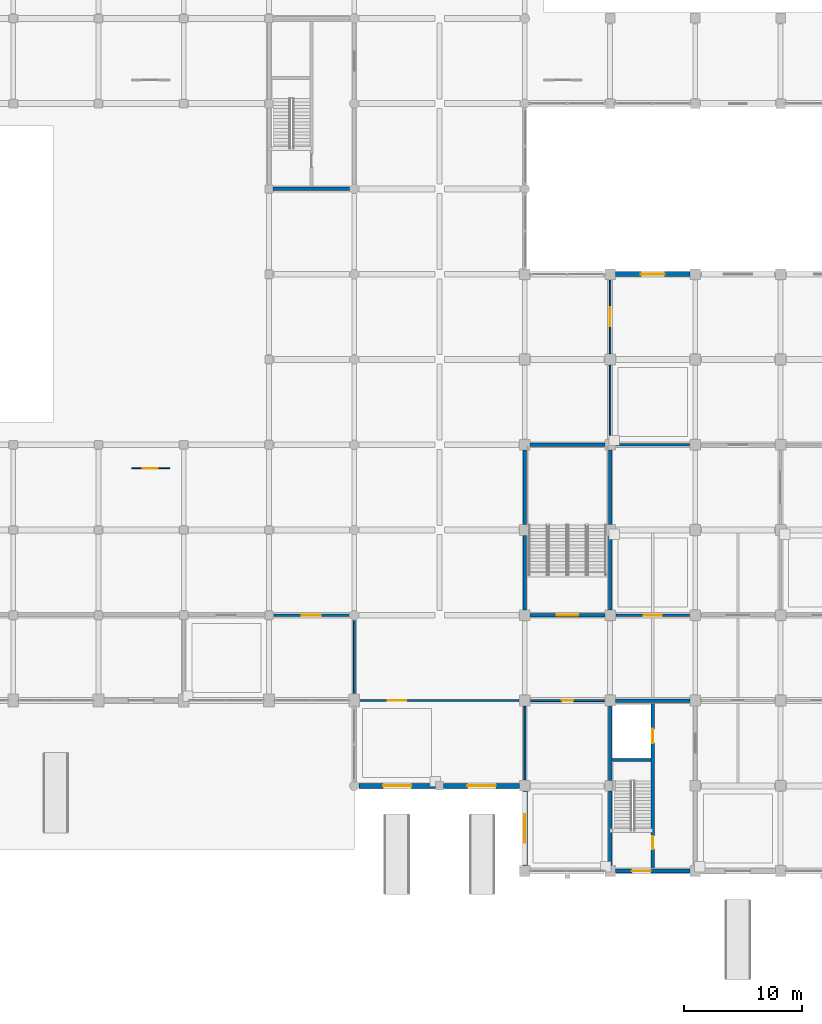
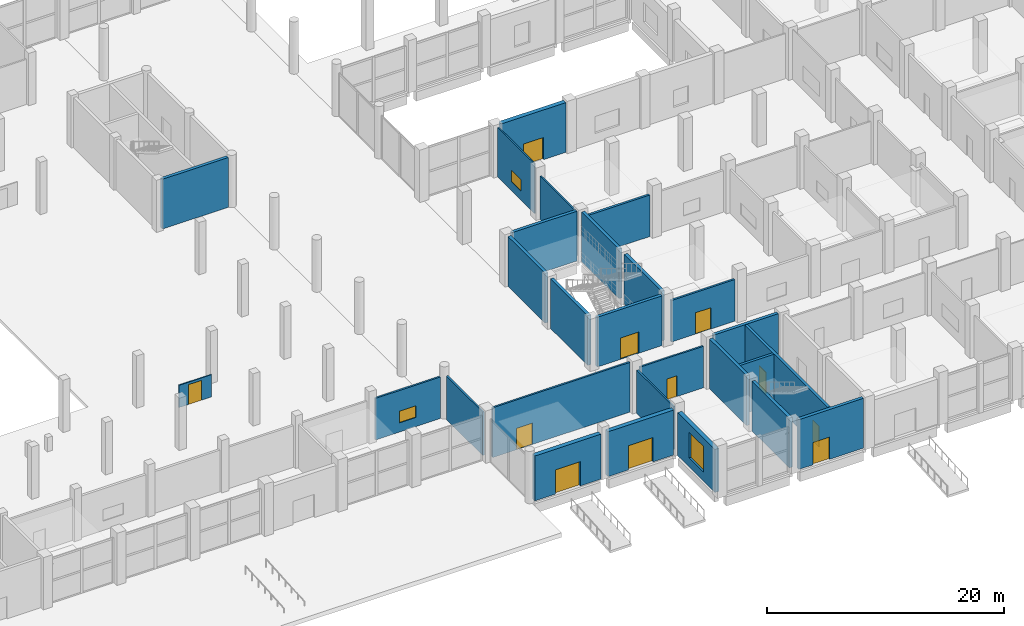
# One storey, part 46 of 70: 27 walls, 11 doors, 3 windows, 14 openings.
"""IFC4 building model written with IfcOpenShell, lengths in metres."""

from ifc_helpers import new_model, si_unit, direction, frame, frame_2d, origin, place, context, subcontext, project, spatial, rectangle, extrude, material, layer, layer_set, type_object, element, fill, save


model = new_model("IFC4")

# Units and contexts
model_context = context("Model", 3, precision=1e-05, world=origin(), true_north=direction((0.0, 1.0)))
body_context = subcontext(model_context, "Body", "Model", "MODEL_VIEW")
ifc_project = project(units=[si_unit("LENGTHUNIT", "METRE"), si_unit("AREAUNIT", "SQUARE_METRE"), si_unit("VOLUMEUNIT", "CUBIC_METRE"), si_unit("PLANEANGLEUNIT", "RADIAN"), si_unit("MASSUNIT", "GRAM", prefix="KILO")], contexts=[model_context])

# Site, building, storey
site_placement = place(None, origin())
site = spatial("IfcSite", under=ifc_project, at=site_placement, CompositionType="ELEMENT")
building_placement = place(site_placement, origin())
building = spatial("IfcBuilding", under=site, at=building_placement, Name="Vesperath Aquatics Centre", CompositionType="ELEMENT")
storey_placement = place(building_placement, origin())
storey = spatial("IfcBuildingStorey", under=building, at=storey_placement, Name="L00", CompositionType="ELEMENT", Elevation=0.0)

# Wall, opening, door
ifc_material_1 = material(Name="Liaoning grey granite ashlar insulated cavity wall", Category="masonry")
ifc_layer_1 = layer(ifc_material_1, 0.419921875)
ifc_layer_set_1 = layer_set([ifc_layer_1], Name="Liaoning grey granite ashlar insulated cavity wall")
wall_type_1 = type_object("IfcWallType", Name="WL-EW01", PredefinedType="SOLIDWALL", material=ifc_layer_set_1)
wall_1_placement = place(storey_placement, frame((101.199951171875, 7.199951171875, 0.0), z_axis=(0.0, 0.0, 1.0), x_axis=(1.0, 0.0, 0.0)))
wall_1 = element("IfcWall", 1, at=wall_1_placement, inside=storey, type_object=wall_type_1, Name="Exterior Wall EW01 L00_S_14_01", PredefinedType="SOLIDWALL", context=body_context, shape_type="SweptSolid", body=[
    extrude(rectangle(XDim=6.449951171875, YDim=0.419921875, at=frame_2d((3.22509765625, 0.0))), origin(), (0.0, 0.0, 1.0), 4.639892578125),
])
opening_1_placement = place(wall_1_placement, frame((2.02490234375, 0.0, 0.0)))
opening_1 = element("IfcOpeningElement", 2, at=opening_1_placement, cuts=wall_1, Name="Opening AL01", PredefinedType="OPENING", context=body_context, shape_type="SweptSolid", body=[
    extrude(rectangle(XDim=2.39990234375, YDim=2.5, at=frame_2d((1.199951171875, 1.25))), frame((0.0, 0.224853515625, 0.0), z_axis=(0.0, -1.0, 0.0), x_axis=(1.0, 0.0, 0.0)), (0.0, 0.0, 1.0), 0.44970703125),
])
ifc_material_2 = material(Name="Thermally broken bronze-anodised glazed aluminium door", Category="aluminium")
door_type_1 = type_object("IfcDoorType", Name="DR-AL01", OperationType="DOUBLE_SWING_LEFT", PredefinedType="DOOR", material=ifc_material_2)
door_1_placement = place(opening_1_placement, frame((2.39990234375, 0.0, 0.0), z_axis=(0.0, 0.0, 1.0), x_axis=(-1.0, 0.0, 0.0)))
door_1 = element("IfcDoor", 3, at=door_1_placement, inside=storey, type_object=door_type_1, Name="Final Exit Door AL01 L00_S_14_01", OperationType="DOUBLE_SWING_LEFT", OverallHeight=2.5, OverallWidth=2.39990234375, PredefinedType="DOOR", context=body_context, shape_type="SweptSolid", body=[
    extrude(rectangle(XDim=2.39990234375, YDim=2.5, at=frame_2d((1.199951171875, 1.25))), frame((0.0, 0.02490234375, 0.0), z_axis=(0.0, -1.0, 0.0), x_axis=(1.0, 0.0, 0.0)), (0.0, 0.0, 1.0), 0.050048828125),
])
fill(opening_1, door_1)

wall_2_placement = place(storey_placement, frame((108.35009765625, 7.199951171875, 0.0), z_axis=(0.0, 0.0, 1.0), x_axis=(1.0, 0.0, 0.0)))
wall_2 = element("IfcWall", 4, at=wall_2_placement, inside=storey, type_object=wall_type_1, Name="Exterior Wall EW01 L00_S_15_01", PredefinedType="SOLIDWALL", context=body_context, shape_type="SweptSolid", body=[
    extrude(rectangle(XDim=6.39990234375, YDim=0.419921875, at=frame_2d((3.199951171875, 0.0))), origin(), (0.0, 0.0, 1.0), 4.639892578125),
])
opening_2_placement = place(wall_2_placement, frame((2.0, 0.0, 0.0)))
opening_2 = element("IfcOpeningElement", 5, at=opening_2_placement, cuts=wall_2, Name="Opening AL01", PredefinedType="OPENING", context=body_context, shape_type="SweptSolid", body=[
    extrude(rectangle(XDim=2.39990234375, YDim=2.5, at=frame_2d((1.199951171875, 1.25))), frame((0.0, 0.224853515625, 0.0), z_axis=(0.0, -1.0, 0.0), x_axis=(1.0, 0.0, 0.0)), (0.0, 0.0, 1.0), 0.44970703125),
])
door_2_placement = place(opening_2_placement, frame((2.39990234375, 0.0, 0.0), z_axis=(0.0, 0.0, 1.0), x_axis=(-1.0, 0.0, 0.0)))
door_2 = element("IfcDoor", 6, at=door_2_placement, inside=storey, type_object=door_type_1, Name="Final Exit Door AL01 L00_S_15_01", OperationType="DOUBLE_SWING_LEFT", OverallHeight=2.5, OverallWidth=2.39990234375, PredefinedType="DOOR", context=body_context, shape_type="SweptSolid", body=[
    extrude(rectangle(XDim=2.39990234375, YDim=2.5, at=frame_2d((1.199951171875, 1.25))), frame((0.0, 0.02490234375, 0.0), z_axis=(0.0, -1.0, 0.0), x_axis=(1.0, 0.0, 0.0)), (0.0, 0.0, 1.0), 0.050048828125),
])
fill(opening_2, door_2)

wall_3_placement = place(storey_placement, frame((122.85009765625, 50.39990234375, 0.0), z_axis=(0.0, 0.0, 1.0), x_axis=(1.0, 0.0, 0.0)))
wall_3 = element("IfcWall", 7, at=wall_3_placement, inside=storey, type_object=wall_type_1, Name="Exterior Wall EW01 L00_N_17_07", PredefinedType="SOLIDWALL", context=body_context, shape_type="SweptSolid", body=[
    extrude(rectangle(XDim=6.2998046875, YDim=0.419921875, at=frame_2d((3.14990234375, 0.0))), origin(), (0.0, 0.0, 1.0), 5.139892578125),
])
opening_3_placement = place(wall_3_placement, frame((2.14990234375, 0.0, 0.0)))
opening_3 = element("IfcOpeningElement", 8, at=opening_3_placement, cuts=wall_3, Name="Opening EX03", PredefinedType="OPENING", context=body_context, shape_type="SweptSolid", body=[
    extrude(rectangle(XDim=2.0, YDim=2.300048828125, at=frame_2d((1.0, 1.14990234375))), frame((0.0, 0.224853515625, 0.0), z_axis=(0.0, -1.0, 0.0), x_axis=(1.0, 0.0, 0.0)), (0.0, 0.0, 1.0), 0.44970703125),
])
door_type_2 = type_object("IfcDoorType", Name="DR-EX03", OperationType="DOUBLE_SWING_LEFT", PredefinedType="DOOR", material=ifc_material_2)
door_3_placement = place(opening_3_placement, origin())
door_3 = element("IfcDoor", 9, at=door_3_placement, inside=storey, type_object=door_type_2, Name="Final Exit Door EX03 L00_N_17_07", OperationType="DOUBLE_SWING_LEFT", OverallHeight=2.300048828125, OverallWidth=2.0, PredefinedType="DOOR", context=body_context, shape_type="SweptSolid", body=[
    extrude(rectangle(XDim=2.0, YDim=2.300048828125, at=frame_2d((1.0, 1.14990234375))), frame((0.0, 0.02490234375, 0.0), z_axis=(0.0, -1.0, 0.0), x_axis=(1.0, 0.0, 0.0)), (0.0, 0.0, 1.0), 0.050048828125),
])
fill(opening_3, door_3)

# Wall, opening, window
wall_4_placement = place(storey_placement, frame((115.199951171875, 0.449951171875, 0.0), z_axis=(0.0, 0.0, 1.0), x_axis=(0.0, 1.0, 0.0)))
wall_4 = element("IfcWall", 10, at=wall_4_placement, inside=storey, type_object=wall_type_1, Name="Exterior Wall EW01 L00_W_16_00", PredefinedType="SOLIDWALL", context=body_context, shape_type="SweptSolid", body=[
    extrude(rectangle(XDim=6.300048828125, YDim=0.419921875, at=frame_2d((3.14990234375, 0.0))), origin(), (0.0, 0.0, 1.0), 4.43994140625),
])
opening_4_placement = place(wall_4_placement, frame((1.949951171875, 0.0, 0.949951171875)))
opening_4 = element("IfcOpeningElement", 11, at=opening_4_placement, cuts=wall_4, Name="Opening W01", PredefinedType="OPENING", context=body_context, shape_type="SweptSolid", body=[
    extrude(rectangle(XDim=2.39990234375, YDim=2.64990234375, at=frame_2d((1.199951171875, 1.324951171875))), frame((0.0, 0.224853515625, 0.0), z_axis=(0.0, -1.0, 0.0), x_axis=(1.0, 0.0, 0.0)), (0.0, 0.0, 1.0), 0.44970703125),
])
ifc_material_3 = material(Name="Thermally broken aluminium triple-glazed window", Category="aluminium")
window_type_1 = type_object("IfcWindowType", Name="WN-W01", PartitioningType="SINGLE_PANEL", PredefinedType="WINDOW", material=ifc_material_3)
window_1_placement = place(opening_4_placement, origin())
window_1 = element("IfcWindow", 12, at=window_1_placement, inside=storey, type_object=window_type_1, Name="Deep-Reveal Casement Window W01 L00_W_16_00", OverallHeight=2.64990234375, OverallWidth=2.39990234375, PartitioningType="SINGLE_PANEL", PredefinedType="WINDOW", context=body_context, shape_type="SweptSolid", body=[
    extrude(rectangle(XDim=2.39990234375, YDim=2.64990234375, at=frame_2d((1.199951171875, 1.324951171875))), frame((0.0, 0.030029296875, 0.0), z_axis=(0.0, -1.0, 0.0), x_axis=(1.0, 0.0, 0.0)), (0.0, 0.0, 1.0), 0.06005859375),
])
fill(opening_4, window_1)

# Wall
ifc_material_4 = material(Name="Masonry fire compartment wall", Category="masonry")
ifc_layer_2 = layer(ifc_material_4, 0.219970703125)
ifc_layer_set_2 = layer_set([ifc_layer_2], Name="Masonry fire compartment wall")
wall_type_2 = type_object("IfcWallType", Name="WL-FW02", PredefinedType="SOLIDWALL", material=ifc_layer_set_2)
wall_5_placement = place(storey_placement, frame((122.89990234375, 36.0, 0.0), z_axis=(0.0, 0.0, 1.0), x_axis=(1.0, 0.0, 0.0)))
element("IfcWall", 13, at=wall_5_placement, inside=storey, type_object=wall_type_2, Name="Interior Partition FW02 L00_KITCH-N1", PredefinedType="SOLIDWALL", context=body_context, shape_type="SweptSolid", body=[
    extrude(rectangle(XDim=6.2001953125, YDim=0.219970703125, at=frame_2d((3.10009765625, 0.0))), origin(), (0.0, 0.0, 1.0), 4.2900390625),
])

# Wall, opening, door
ifc_material_5 = material(Name="Moisture-resistant tiled wet partition", Category="gypsum")
ifc_layer_3 = layer(ifc_material_5, 0.175048828125)
ifc_layer_set_3 = layer_set([ifc_layer_3], Name="Moisture-resistant tiled wet partition")
wall_type_3 = type_object("IfcWallType", Name="WL-IW02", PredefinedType="PARTITIONING", material=ifc_layer_set_3)
wall_6_placement = place(storey_placement, frame((101.300048828125, 14.39990234375, 0.0), z_axis=(0.0, 0.0, 1.0), x_axis=(1.0, 0.0, 0.0)))
wall_6 = element("IfcWall", 14, at=wall_6_placement, inside=storey, type_object=wall_type_3, Name="Interior Partition IW02 L00_FOYER-N1", PredefinedType="PARTITIONING", context=body_context, shape_type="SweptSolid", body=[
    extrude(rectangle(XDim=13.39990234375, YDim=0.175048828125, at=frame_2d((6.699951171875, 0.0))), origin(), (0.0, 0.0, 1.0), 5.139892578125),
])
opening_5_placement = place(wall_6_placement, frame((2.324951171875, 0.0, 0.0)))
opening_5 = element("IfcOpeningElement", 15, at=opening_5_placement, cuts=wall_6, Name="Opening D17", PredefinedType="OPENING", context=body_context, shape_type="SweptSolid", body=[
    extrude(rectangle(XDim=1.550048828125, YDim=2.199951171875, at=frame_2d((0.77490234375, 1.10009765625))), frame((0.0, 0.1025390625, 0.0), z_axis=(0.0, -1.0, 0.0), x_axis=(1.0, 0.0, 0.0)), (0.0, 0.0, 1.0), 0.204833984375),
])
ifc_material_6 = material(Name="Cafe dining glazed double door", Category="aluminium")
door_type_3 = type_object("IfcDoorType", Name="DR-RM09", OperationType="DOUBLE_SWING_LEFT", PredefinedType="DOOR", material=ifc_material_6)
door_4_placement = place(opening_5_placement, frame((1.550048828125, 0.0, 0.0), z_axis=(0.0, 0.0, 1.0), x_axis=(-1.0, 0.0, 0.0)))
door_4 = element("IfcDoor", 16, at=door_4_placement, inside=storey, type_object=door_type_3, Name="Thermal Airlock Entrance Foyer and Ticketing Hall Door D17", OperationType="DOUBLE_SWING_LEFT", OverallHeight=2.199951171875, OverallWidth=1.550048828125, PredefinedType="DOOR", context=body_context, shape_type="SweptSolid", body=[
    extrude(rectangle(XDim=1.550048828125, YDim=2.199951171875, at=frame_2d((0.77490234375, 1.10009765625))), frame((0.0, 0.02490234375, 0.0), z_axis=(0.0, -1.0, 0.0), x_axis=(1.0, 0.0, 0.0)), (0.0, 0.0, 1.0), 0.050048828125),
])
fill(opening_5, door_4)

# Wall, opening, window
wall_7_placement = place(storey_placement, frame((94.0, 21.60009765625, 0.0), z_axis=(0.0, 0.0, 1.0), x_axis=(1.0, 0.0, 0.0)))
wall_7 = element("IfcWall", 17, at=wall_7_placement, inside=storey, type_object=wall_type_3, Name="Interior Partition IW02 L00_FIRST_AID-N2", PredefinedType="PARTITIONING", context=body_context, shape_type="SweptSolid", body=[
    extrude(rectangle(XDim=6.35009765625, YDim=0.175048828125, at=frame_2d((3.175048828125, 0.0))), origin(), (0.0, 0.0, 1.0), 4.2900390625),
])
opening_6_placement = place(wall_7_placement, frame((2.375, 0.0, 0.949951171875)))
opening_6 = element("IfcOpeningElement", 18, at=opening_6_placement, cuts=wall_7, Name="Opening VW12", PredefinedType="OPENING", context=body_context, shape_type="SweptSolid", body=[
    extrude(rectangle(XDim=1.60009765625, YDim=1.199951171875, at=frame_2d((0.800048828125, 0.60009765625))), frame((0.0, 0.1025390625, 0.0), z_axis=(0.0, -1.0, 0.0), x_axis=(1.0, 0.0, 0.0)), (0.0, 0.0, 1.0), 0.204833984375),
])
ifc_material_7 = material(Name="Acoustic laminated interior viewing glazing", Category="glass")
window_type_2 = type_object("IfcWindowType", Name="WN-IW12", PartitioningType="SINGLE_PANEL", PredefinedType="WINDOW", material=ifc_material_7)
window_2_placement = place(opening_6_placement, origin())
window_2 = element("IfcWindow", 19, at=window_2_placement, inside=storey, type_object=window_type_2, Name="Interior Viewing Window VW12 L00_FIRST_AID", OverallHeight=1.199951171875, OverallWidth=1.60009765625, PartitioningType="SINGLE_PANEL", PredefinedType="WINDOW", context=body_context, shape_type="SweptSolid", body=[
    extrude(rectangle(XDim=1.60009765625, YDim=1.199951171875, at=frame_2d((0.800048828125, 0.60009765625))), frame((0.0, 0.030029296875, 0.0), z_axis=(0.0, -1.0, 0.0), x_axis=(1.0, 0.0, 0.0)), (0.0, 0.0, 1.0), 0.06005859375),
])
fill(opening_6, window_2)

# Walls
ifc_material_8 = material(Name="Corridor fire-rated gypsum partition", Category="gypsum")
ifc_layer_4 = layer(ifc_material_8, 0.16796875)
ifc_layer_set_4 = layer_set([ifc_layer_4], Name="Corridor fire-rated gypsum partition")
wall_type_4 = type_object("IfcWallType", Name="WL-IW03", PredefinedType="PARTITIONING", material=ifc_layer_set_4)
wall_8_placement = place(storey_placement, frame((115.199951171875, 7.699951171875, 0.0), z_axis=(0.0, 0.0, 1.0), x_axis=(0.0, 1.0, 0.0)))
element("IfcWall", 20, at=wall_8_placement, inside=storey, type_object=wall_type_4, Name="Interior Partition IW03 L00_FOYER-E1", PredefinedType="PARTITIONING", context=body_context, shape_type="SweptSolid", body=[
    extrude(rectangle(XDim=6.199951171875, YDim=0.16796875, at=frame_2d((3.10009765625, 0.0))), origin(), (0.0, 0.0, 1.0), 4.43994140625),
])
wall_9_placement = place(storey_placement, frame((100.800048828125, 15.0, 0.0), z_axis=(0.0, 0.0, 1.0), x_axis=(0.0, 1.0, 0.0)))
element("IfcWall", 21, at=wall_9_placement, inside=storey, type_object=wall_type_4, Name="Interior Partition IW03 L00_FIRST_AID-E1", PredefinedType="PARTITIONING", context=body_context, shape_type="SweptSolid", body=[
    extrude(rectangle(XDim=6.14990234375, YDim=0.16796875, at=frame_2d((3.074951171875, 0.0))), origin(), (0.0, 0.0, 1.0), 4.489990234375),
])

# Wall, opening, door
wall_10_placement = place(storey_placement, frame((115.699951171875, 14.39990234375, 0.0), z_axis=(0.0, 0.0, 1.0), x_axis=(1.0, 0.0, 0.0)))
wall_10 = element("IfcWall", 22, at=wall_10_placement, inside=storey, type_object=wall_type_4, Name="Interior Partition IW03 L00_CAFE-N1", PredefinedType="PARTITIONING", context=body_context, shape_type="SweptSolid", body=[
    extrude(rectangle(XDim=6.199951171875, YDim=0.16796875, at=frame_2d((3.10009765625, 0.0))), origin(), (0.0, 0.0, 1.0), 4.2900390625),
])
opening_7_placement = place(wall_10_placement, frame((2.610107421875, 0.0, 0.0)))
opening_7 = element("IfcOpeningElement", 23, at=opening_7_placement, cuts=wall_10, Name="Opening D27", PredefinedType="OPENING", context=body_context, shape_type="SweptSolid", body=[
    extrude(rectangle(XDim=0.97998046875, YDim=2.14990234375, at=frame_2d((0.489990234375, 1.074951171875))), frame((0.0, 0.098876953125, 0.0), z_axis=(0.0, -1.0, 0.0), x_axis=(1.0, 0.0, 0.0)), (0.0, 0.0, 1.0), 0.19775390625),
])
ifc_material_9 = material(Name="Thermal spa cedar-lined glazed door", Category="aluminium")
door_type_4 = type_object("IfcDoorType", Name="DR-RM19", OperationType="NOTDEFINED", PredefinedType="DOOR", material=ifc_material_9)
door_5_placement = place(opening_7_placement, frame((0.97998046875, 0.0, 0.0), z_axis=(0.0, 0.0, 1.0), x_axis=(-1.0, 0.0, 0.0)))
door_5 = element("IfcDoor", 24, at=door_5_placement, inside=storey, type_object=door_type_4, Name="Boulevard Aquatics Cafe and Dining Hall Door D27", OperationType="SINGLE_SWING_RIGHT", OverallHeight=2.14990234375, OverallWidth=0.97998046875, PredefinedType="DOOR", context=body_context, shape_type="SweptSolid", body=[
    extrude(rectangle(XDim=0.97998046875, YDim=2.14990234375, at=frame_2d((0.489990234375, 1.074951171875))), frame((0.0, 0.02490234375, 0.0), z_axis=(0.0, -1.0, 0.0), x_axis=(1.0, 0.0, 0.0)), (0.0, 0.0, 1.0), 0.050048828125),
])
fill(opening_7, door_5)

# Wall
ifc_material_10 = material(Name="Sanitary plumbing wall", Category="gypsum")
ifc_layer_5 = layer(ifc_material_10, 0.1298828125)
ifc_layer_set_5 = layer_set([ifc_layer_5], Name="Sanitary plumbing wall")
wall_type_5 = type_object("IfcWallType", Name="WL-IW08", PredefinedType="PARTITIONING", material=ifc_layer_set_5)
wall_11_placement = place(storey_placement, frame((122.39990234375, 36.5, 0.0), z_axis=(0.0, 0.0, 1.0), x_axis=(0.0, 1.0, 0.0)))
element("IfcWall", 25, at=wall_11_placement, inside=storey, type_object=wall_type_5, Name="Interior Partition IW08 L00_COMMUNITY-W1", PredefinedType="PARTITIONING", context=body_context, shape_type="SweptSolid", body=[
    extrude(rectangle(XDim=6.199951171875, YDim=0.1298828125, at=frame_2d((3.10009765625, 0.0))), origin(), (0.0, 0.0, 1.0), 4.489990234375),
])

# Wall, opening, window
ifc_material_11 = material(Name="Office dry-lined partition", Category="gypsum")
ifc_layer_6 = layer(ifc_material_11, 0.1220703125)
ifc_layer_set_6 = layer_set([ifc_layer_6], Name="Office dry-lined partition")
wall_type_6 = type_object("IfcWallType", Name="WL-IW09", PredefinedType="PARTITIONING", material=ifc_layer_set_6)
wall_12_placement = place(storey_placement, frame((122.39990234375, 43.699951171875, 0.0), z_axis=(0.0, 0.0, 1.0), x_axis=(0.0, 1.0, 0.0)))
wall_12 = element("IfcWall", 26, at=wall_12_placement, inside=storey, type_object=wall_type_6, Name="Interior Partition IW09 L00_COMMUNITY-W2", PredefinedType="PARTITIONING", context=body_context, shape_type="SweptSolid", body=[
    extrude(rectangle(XDim=6.199951171875, YDim=0.1220703125, at=frame_2d((3.10009765625, 0.0))), origin(), (0.0, 0.0, 1.0), 5.139892578125),
])
opening_8_placement = place(wall_12_placement, frame((2.300048828125, 0.0, 0.949951171875)))
opening_8 = element("IfcOpeningElement", 27, at=opening_8_placement, cuts=wall_12, Name="Opening VW12", PredefinedType="OPENING", context=body_context, shape_type="SweptSolid", body=[
    extrude(rectangle(XDim=1.60009765625, YDim=1.199951171875, at=frame_2d((0.800048828125, 0.60009765625))), frame((0.0, 0.075927734375, 0.0), z_axis=(0.0, -1.0, 0.0), x_axis=(1.0, 0.0, 0.0)), (0.0, 0.0, 1.0), 0.15185546875),
])
window_3_placement = place(opening_8_placement, origin())
window_3 = element("IfcWindow", 28, at=window_3_placement, inside=storey, type_object=window_type_2, Name="Interior Viewing Window VW12 L00_COMMUNITY", OverallHeight=1.199951171875, OverallWidth=1.60009765625, PartitioningType="SINGLE_PANEL", PredefinedType="WINDOW", context=body_context, shape_type="SweptSolid", body=[
    extrude(rectangle(XDim=1.60009765625, YDim=1.199951171875, at=frame_2d((0.800048828125, 0.60009765625))), frame((0.0, 0.030029296875, 0.0), z_axis=(0.0, -1.0, 0.0), x_axis=(1.0, 0.0, 0.0)), (0.0, 0.0, 1.0), 0.06005859375),
])
fill(opening_8, window_3)

# Wall, opening, door
ifc_material_12 = material(Name="Poolside glazed screen partition", Category="gypsum")
ifc_layer_7 = layer(ifc_material_12, 0.094970703125)
ifc_layer_set_7 = layer_set([ifc_layer_7], Name="Poolside glazed screen partition")
wall_type_7 = type_object("IfcWallType", Name="WL-IW13", PredefinedType="PARTITIONING", material=ifc_layer_set_7)
wall_13_placement = place(storey_placement, frame((82.0, 34.0, 0.0), z_axis=(0.0, 0.0, 1.0), x_axis=(1.0, 0.0, 0.0)))
wall_13 = element("IfcWall", 29, at=wall_13_placement, inside=storey, type_object=wall_type_7, Name="Poolside Marshal Screen IW13-03", PredefinedType="PARTITIONING", context=body_context, shape_type="SweptSolid", body=[
    extrude(rectangle(XDim=3.199951171875, YDim=0.094970703125, at=frame_2d((1.60009765625, 0.0))), origin(), (0.0, 0.0, 1.0), 2.300048828125),
])
opening_9_placement = place(wall_13_placement, frame((0.949951171875, 0.0, 0.0)))
opening_9 = element("IfcOpeningElement", 30, at=opening_9_placement, cuts=wall_13, Name="Opening GT01", PredefinedType="OPENING", context=body_context, shape_type="SweptSolid", body=[
    extrude(rectangle(XDim=1.25, YDim=2.050048828125, at=frame_2d((0.625, 1.02490234375))), frame((0.0, 0.0625, 0.0), z_axis=(0.0, -1.0, 0.0), x_axis=(1.0, 0.0, 0.0)), (0.0, 0.0, 1.0), 0.124755859375),
])
ifc_material_13 = material(Name="Stainless steel poolside marshal gate", Category="steel")
door_type_5 = type_object("IfcDoorType", Name="DR-GT01", OperationType="NOTDEFINED", PredefinedType="GATE", material=ifc_material_13)
door_6_placement = place(opening_9_placement, origin())
door_6 = element("IfcDoor", 31, at=door_6_placement, inside=storey, type_object=door_type_5, Name="Poolside Marshal Gate GT01-03", OperationType="SINGLE_SWING_LEFT", OverallHeight=2.050048828125, OverallWidth=1.25, PredefinedType="GATE", context=body_context, shape_type="SweptSolid", body=[
    extrude(rectangle(XDim=1.25, YDim=2.050048828125, at=frame_2d((0.625, 1.02490234375))), frame((0.0, 0.02490234375, 0.0), z_axis=(0.0, -1.0, 0.0), x_axis=(1.0, 0.0, 0.0)), (0.0, 0.0, 1.0), 0.050048828125),
])
fill(opening_9, door_6)

ifc_material_14 = material(Name="Shaft enclosure fire partition", Category="gypsum")
ifc_layer_8 = layer(ifc_material_14, 0.195068359375)
ifc_layer_set_8 = layer_set([ifc_layer_8], Name="Shaft enclosure fire partition")
wall_type_8 = type_object("IfcWallType", Name="WL-IW14", PredefinedType="PARTITIONING", material=ifc_layer_set_8)
wall_14_placement = place(storey_placement, frame((122.89990234375, 21.60009765625, 0.0), z_axis=(0.0, 0.0, 1.0), x_axis=(1.0, 0.0, 0.0)))
wall_14 = element("IfcWall", 32, at=wall_14_placement, inside=storey, type_object=wall_type_8, Name="Interior Partition IW14 L00_KITCH-S1", PredefinedType="PARTITIONING", context=body_context, shape_type="SweptSolid", body=[
    extrude(rectangle(XDim=6.2001953125, YDim=0.195068359375, at=frame_2d((3.10009765625, 0.0))), origin(), (0.0, 0.0, 1.0), 4.2900390625),
])
opening_10_placement = place(wall_14_placement, frame((2.340087890625, 0.0, 0.0)))
opening_10 = element("IfcOpeningElement", 33, at=opening_10_placement, cuts=wall_14, Name="Opening D31", PredefinedType="OPENING", context=body_context, shape_type="SweptSolid", body=[
    extrude(rectangle(XDim=1.52001953125, YDim=2.199951171875, at=frame_2d((0.760009765625, 1.10009765625))), frame((0.0, 0.1123046875, 0.0), z_axis=(0.0, -1.0, 0.0), x_axis=(1.0, 0.0, 0.0)), (0.0, 0.0, 1.0), 0.224853515625),
])
ifc_material_15 = material(Name="Boardroom and briefing double oak door", Category="wood")
door_type_6 = type_object("IfcDoorType", Name="DR-RM23", OperationType="DOUBLE_SWING_LEFT", PredefinedType="DOOR", material=ifc_material_15)
door_7_placement = place(opening_10_placement, origin())
door_7 = element("IfcDoor", 34, at=door_7_placement, inside=storey, type_object=door_type_6, Name="Cafe Preparation Kitchen and Servery Door D31", OperationType="DOUBLE_SWING_LEFT", OverallHeight=2.199951171875, OverallWidth=1.52001953125, PredefinedType="DOOR", context=body_context, shape_type="SweptSolid", body=[
    extrude(rectangle(XDim=1.52001953125, YDim=2.199951171875, at=frame_2d((0.760009765625, 1.10009765625))), frame((0.0, 0.02490234375, 0.0), z_axis=(0.0, -1.0, 0.0), x_axis=(1.0, 0.0, 0.0)), (0.0, 0.0, 1.0), 0.050048828125),
])
fill(opening_10, door_7)

# Walls
ifc_material_16 = material(Name="Concrete C40", Category="concrete")
ifc_layer_9 = layer(ifc_material_16, 0.300048828125)
ifc_layer_set_9 = layer_set([ifc_layer_9], Name="Concrete C40")
wall_type_9 = type_object("IfcWallType", Name="WL-SW01", PredefinedType="SHEAR", material=ifc_layer_set_9)
wall_15_placement = place(storey_placement, frame((93.949951171875, 57.60009765625, 0.0), z_axis=(0.0, 0.0, 1.0), x_axis=(1.0, 0.0, 0.0)))
element("IfcWall", 35, at=wall_15_placement, inside=storey, type_object=wall_type_9, Name="Core C8 South Shear Wall SW01 L00", PredefinedType="SHEAR", context=body_context, shape_type="SweptSolid", body=[
    extrude(rectangle(XDim=6.449951171875, YDim=0.300048828125, at=frame_2d((3.22509765625, 0.0))), origin(), (0.0, 0.0, 1.0), 5.139892578125),
])
wall_16_placement = place(storey_placement, frame((122.85009765625, 14.39990234375, 0.0), z_axis=(0.0, 0.0, 1.0), x_axis=(1.0, 0.0, 0.0)))
element("IfcWall", 36, at=wall_16_placement, inside=storey, type_object=wall_type_9, Name="Core C5 North Shear Wall SW01 L00", PredefinedType="SHEAR", context=body_context, shape_type="SweptSolid", body=[
    extrude(rectangle(XDim=6.2998046875, YDim=0.300048828125, at=frame_2d((3.14990234375, 0.0))), origin(), (0.0, 0.0, 1.0), 5.139892578125),
])
for number, where, z_axis, x_axis, name in (
    (37, (122.39990234375, 0.449951171875, 0.0), (0.0, 0.0, 1.0), (0.0, 1.0, 0.0), "Core C5 West-1 Shear Wall SW01 L00"),
    (38, (122.39990234375, 7.64990234375, 0.0), (0.0, 0.0, 1.0), (0.0, 1.0, 0.0), "Core C5 West-2 Shear Wall SW01 L00"),
):
    element("IfcWall", number, at=place(storey_placement, frame(where, z_axis=z_axis, x_axis=x_axis)), inside=storey, type_object=wall_type_9, Name=name, PredefinedType="SHEAR", context=body_context, shape_type="SweptSolid", body=[
        extrude(rectangle(XDim=6.300048828125, YDim=0.300048828125, at=frame_2d((3.14990234375, 0.0))), origin(), (0.0, 0.0, 1.0), 5.139892578125),
    ])

# Wall, opening, door
wall_17_placement = place(storey_placement, frame((115.64990234375, 21.60009765625, 0.0), z_axis=(0.0, 0.0, 1.0), x_axis=(1.0, 0.0, 0.0)))
wall_17 = element("IfcWall", 39, at=wall_17_placement, inside=storey, type_object=wall_type_9, Name="Core C7 South Shear Wall SW01 L00", PredefinedType="SHEAR", context=body_context, shape_type="SweptSolid", body=[
    extrude(rectangle(XDim=6.300048828125, YDim=0.300048828125, at=frame_2d((3.14990234375, 0.0))), origin(), (0.0, 0.0, 1.0), 5.139892578125),
])
opening_11_placement = place(wall_17_placement, frame((2.25, 0.0, 0.0)))
opening_11 = element("IfcOpeningElement", 40, at=opening_11_placement, cuts=wall_17, Name="Opening D03", PredefinedType="OPENING", context=body_context, shape_type="SweptSolid", body=[
    extrude(rectangle(XDim=1.800048828125, YDim=2.199951171875, at=frame_2d((0.89990234375, 1.10009765625))), frame((0.0, 0.1650390625, 0.0), z_axis=(0.0, -1.0, 0.0), x_axis=(1.0, 0.0, 0.0)), (0.0, 0.0, 1.0), 0.329833984375),
])
ifc_material_17 = material(Name="Corridor smoke-control double fire door", Category="steel")
door_type_7 = type_object("IfcDoorType", Name="DR-FD03", OperationType="DOUBLE_SWING_LEFT", PredefinedType="DOOR", material=ifc_material_17)
door_8_placement = place(opening_11_placement, frame((1.800048828125, 0.0, 0.0), z_axis=(0.0, 0.0, 1.0), x_axis=(-1.0, 0.0, 0.0)))
door_8 = element("IfcDoor", 41, at=door_8_placement, inside=storey, type_object=door_type_7, Name="Stair ST7 Fire Door D03 L00", OperationType="DOUBLE_SWING_LEFT", OverallHeight=2.199951171875, OverallWidth=1.800048828125, PredefinedType="DOOR", context=body_context, shape_type="SweptSolid", body=[
    extrude(rectangle(XDim=1.800048828125, YDim=2.199951171875, at=frame_2d((0.89990234375, 1.10009765625))), frame((0.0, 0.02490234375, 0.0), z_axis=(0.0, -1.0, 0.0), x_axis=(1.0, 0.0, 0.0)), (0.0, 0.0, 1.0), 0.050048828125),
])
fill(opening_11, door_8)

# Walls
for number, where, z_axis, x_axis, name in (
    (42, (115.64990234375, 36.0, 0.0), (0.0, 0.0, 1.0), (1.0, 0.0, 0.0), "Core C7 North Shear Wall SW01 L00"),
    (43, (115.199951171875, 22.050048828125, 0.0), (0.0, 0.0, 1.0), (0.0, 1.0, 0.0), "Core C7 West-1 Shear Wall SW01 L00"),
    (44, (115.199951171875, 29.25, 0.0), (0.0, 0.0, 1.0), (0.0, 1.0, 0.0), "Core C7 West-2 Shear Wall SW01 L00"),
    (45, (122.39990234375, 22.050048828125, 0.0), (0.0, 0.0, 1.0), (0.0, 1.0, 0.0), "Core C7 East-1 Shear Wall SW01 L00"),
    (46, (122.39990234375, 29.25, 0.0), (0.0, 0.0, 1.0), (0.0, 1.0, 0.0), "Core C7 East-2 Shear Wall SW01 L00"),
):
    element("IfcWall", number, at=place(storey_placement, frame(where, z_axis=z_axis, x_axis=x_axis)), inside=storey, type_object=wall_type_9, Name=name, PredefinedType="SHEAR", context=body_context, shape_type="SweptSolid", body=[
        extrude(rectangle(XDim=6.300048828125, YDim=0.300048828125, at=frame_2d((3.14990234375, 0.0))), origin(), (0.0, 0.0, 1.0), 5.139892578125),
    ])

# Wall, openings, doors
ifc_layer_10 = layer(ifc_material_16, 0.260009765625)
ifc_layer_set_10 = layer_set([ifc_layer_10], Name="Concrete C40")
wall_type_10 = type_object("IfcWallType", Name="WL-SW03", PredefinedType="SHEAR", material=ifc_layer_set_10)
wall_18_placement = place(storey_placement, frame((126.0, 0.199951171875, 0.0), z_axis=(0.0, 0.0, 1.0), x_axis=(0.0, 1.0, 0.0)))
wall_18 = element("IfcWall", 47, at=wall_18_placement, inside=storey, type_object=wall_type_10, Name="Core C5 Spine Shear Wall SW03 L00", PredefinedType="SHEAR", context=body_context, shape_type="SweptSolid", body=[
    extrude(rectangle(XDim=14.0, YDim=0.260009765625, at=frame_2d((7.0, 0.0))), origin(), (0.0, 0.0, 1.0), 5.139892578125),
])
opening_12_placement = place(wall_18_placement, frame((1.64990234375, 0.0, 0.0)))
opening_12 = element("IfcOpeningElement", 48, at=opening_12_placement, cuts=wall_18, Name="Opening D01", PredefinedType="OPENING", context=body_context, shape_type="SweptSolid", body=[
    extrude(rectangle(XDim=1.10009765625, YDim=2.14990234375, at=frame_2d((0.550048828125, 1.074951171875))), frame((0.0, 0.14501953125, 0.0), z_axis=(0.0, -1.0, 0.0), x_axis=(1.0, 0.0, 0.0)), (0.0, 0.0, 1.0), 0.289794921875),
])
opening_13_placement = place(wall_18_placement, frame((10.60009765625, 0.0, 0.0)))
opening_13 = element("IfcOpeningElement", 49, at=opening_13_placement, cuts=wall_18, Name="Opening LD03", PredefinedType="OPENING", context=body_context, shape_type="SweptSolid", body=[
    extrude(rectangle(XDim=1.199951171875, YDim=2.25, at=frame_2d((0.60009765625, 1.125))), frame((0.0, 0.14501953125, 0.0), z_axis=(0.0, -1.0, 0.0), x_axis=(1.0, 0.0, 0.0)), (0.0, 0.0, 1.0), 0.289794921875),
])
ifc_material_18 = material(Name="Steel-faced acoustic fire door", Category="steel")
door_type_8 = type_object("IfcDoorType", Name="DR-FD01", OperationType="NOTDEFINED", PredefinedType="DOOR", material=ifc_material_18)
door_9_placement = place(opening_12_placement, origin())
door_9 = element("IfcDoor", 50, at=door_9_placement, inside=storey, type_object=door_type_8, Name="Stair ST5 Fire Door D01 L00", OperationType="SINGLE_SWING_LEFT", OverallHeight=2.14990234375, OverallWidth=1.10009765625, PredefinedType="DOOR", context=body_context, shape_type="SweptSolid", body=[
    extrude(rectangle(XDim=1.10009765625, YDim=2.14990234375, at=frame_2d((0.550048828125, 1.074951171875))), frame((0.0, 0.02490234375, 0.0), z_axis=(0.0, -1.0, 0.0), x_axis=(1.0, 0.0, 0.0)), (0.0, 0.0, 1.0), 0.050048828125),
])
fill(opening_12, door_9)
ifc_material_19 = material(Name="Firefighting stainless lift landing door", Category="steel")
door_type_9 = type_object("IfcDoorType", Name="DR-LD03", OperationType="SLIDING_TO_LEFT", PredefinedType="DOOR", material=ifc_material_19)
door_10_placement = place(opening_13_placement, frame((1.199951171875, 0.0, 0.0), z_axis=(0.0, 0.0, 1.0), x_axis=(-1.0, 0.0, 0.0)))
door_10 = element("IfcDoor", 51, at=door_10_placement, inside=storey, type_object=door_type_9, Name="Lift LFT-FF1 Sliding Landing Door LD03 L00", OperationType="SLIDING_TO_LEFT", OverallHeight=2.25, OverallWidth=1.199951171875, PredefinedType="DOOR", context=body_context, shape_type="SweptSolid", body=[
    extrude(rectangle(XDim=1.199951171875, YDim=2.25, at=frame_2d((0.60009765625, 1.125))), frame((0.0, 0.02490234375, 0.0), z_axis=(0.0, -1.0, 0.0), x_axis=(1.0, 0.0, 0.0)), (0.0, 0.0, 1.0), 0.050048828125),
])
fill(opening_13, door_10)

# Wall
ifc_layer_11 = layer(ifc_material_16, 0.25)
ifc_layer_set_11 = layer_set([ifc_layer_11], Name="Concrete C40")
wall_type_11 = type_object("IfcWallType", Name="WL-SW04", PredefinedType="SHEAR", material=ifc_layer_set_11)
wall_19_placement = place(storey_placement, frame((122.56005859375, 9.3798828125, 0.0), z_axis=(0.0, 0.0, 1.0), x_axis=(1.0, 0.0, 0.0)))
element("IfcWall", 52, at=wall_19_placement, inside=storey, type_object=wall_type_11, Name="Core C5 Lift Shaft Wall SW04 L00", PredefinedType="SHEAR", context=body_context, shape_type="SweptSolid", body=[
    extrude(rectangle(XDim=3.300048828125, YDim=0.25, at=frame_2d((1.64990234375, 0.0))), origin(), (0.0, 0.0, 1.0), 5.139892578125),
])

# Wall, opening, door
ifc_layer_12 = layer(ifc_material_16, 0.31005859375)
ifc_layer_set_12 = layer_set([ifc_layer_12], Name="Concrete C40")
wall_type_12 = type_object("IfcWallType", Name="WL-SW05", PredefinedType="SHEAR", material=ifc_layer_set_12)
wall_20_placement = place(storey_placement, frame((122.85009765625, 0.0, 0.0), z_axis=(0.0, 0.0, 1.0), x_axis=(1.0, 0.0, 0.0)))
wall_20 = element("IfcWall", 53, at=wall_20_placement, inside=storey, type_object=wall_type_12, Name="Core C5 South Shear Wall SW05 L00", PredefinedType="SHEAR", context=body_context, shape_type="SweptSolid", body=[
    extrude(rectangle(XDim=6.2998046875, YDim=0.31005859375, at=frame_2d((3.14990234375, 0.0))), origin(), (0.0, 0.0, 1.0), 5.139892578125),
])
opening_14_placement = place(wall_20_placement, frame((1.39990234375, 0.0, 0.0)))
opening_14 = element("IfcOpeningElement", 54, at=opening_14_placement, cuts=wall_20, Name="Opening EX06", PredefinedType="OPENING", context=body_context, shape_type="SweptSolid", body=[
    extrude(rectangle(XDim=1.60009765625, YDim=2.300048828125, at=frame_2d((0.800048828125, 1.14990234375))), frame((0.0, 0.169921875, 0.0), z_axis=(0.0, -1.0, 0.0), x_axis=(1.0, 0.0, 0.0)), (0.0, 0.0, 1.0), 0.33984375),
])
door_type_10 = type_object("IfcDoorType", Name="DR-EX06", OperationType="DOUBLE_SWING_LEFT", PredefinedType="DOOR", material=ifc_material_2)
door_11_placement = place(opening_14_placement, frame((1.60009765625, 0.0, 0.0), z_axis=(0.0, 0.0, 1.0), x_axis=(-1.0, 0.0, 0.0)))
door_11 = element("IfcDoor", 55, at=door_11_placement, inside=storey, type_object=door_type_10, Name="Stair ST5 Direct Grade Exit Door EX06", OperationType="DOUBLE_SWING_LEFT", OverallHeight=2.300048828125, OverallWidth=1.60009765625, PredefinedType="DOOR", context=body_context, shape_type="SweptSolid", body=[
    extrude(rectangle(XDim=1.60009765625, YDim=2.300048828125, at=frame_2d((0.800048828125, 1.14990234375))), frame((0.0, 0.02490234375, 0.0), z_axis=(0.0, -1.0, 0.0), x_axis=(1.0, 0.0, 0.0)), (0.0, 0.0, 1.0), 0.050048828125),
])
fill(opening_14, door_11)

save(model, "model.ifc")
